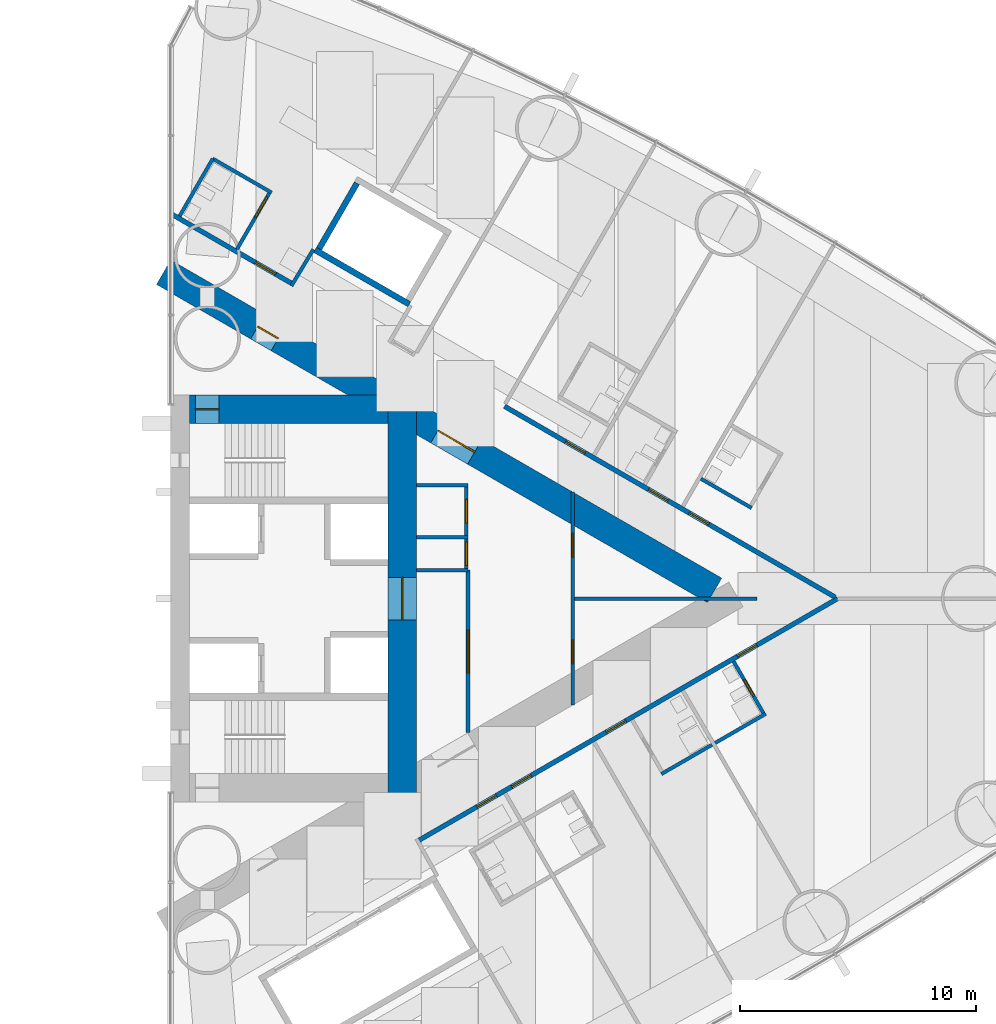
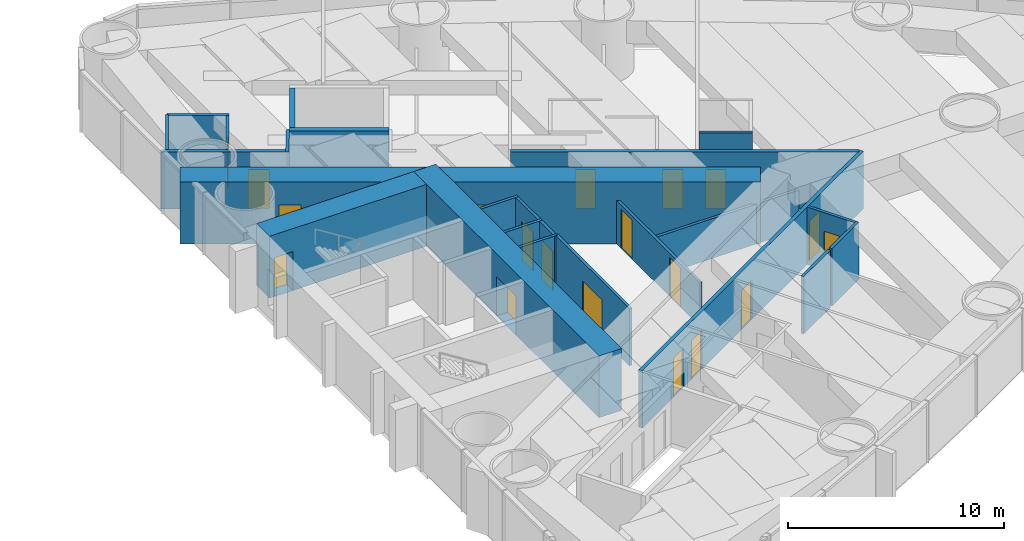
# One storey, part 15 of 19: 24 walls, 19 doors, 19 openings.
"""IFC4 building model written with IfcOpenShell, lengths in metres."""

from ifc_helpers import new_model, si_unit, direction, frame, frame_2d, origin, place, context, subcontext, project, spatial, rectangle, extrude, material, layer, layer_set, type_object, element, fill, save


model = new_model("IFC4")

# Units and contexts
model_context = context("Model", 3, precision=1e-05, world=origin(), true_north=direction((0.0, 1.0)))
body_context = subcontext(model_context, "Body", "Model", "MODEL_VIEW")
ifc_project = project(units=[si_unit("LENGTHUNIT", "METRE"), si_unit("AREAUNIT", "SQUARE_METRE"), si_unit("VOLUMEUNIT", "CUBIC_METRE"), si_unit("PLANEANGLEUNIT", "RADIAN"), si_unit("MASSUNIT", "GRAM", prefix="KILO")], contexts=[model_context])

# Site, building, storey
site_placement = place(None, origin())
site = spatial("IfcSite", under=ifc_project, at=site_placement, CompositionType="ELEMENT")
building_placement = place(site_placement, origin())
building = spatial("IfcBuilding", under=site, at=building_placement, Name="Lancet Gate Hotel", CompositionType="ELEMENT")
storey_placement = place(building_placement, frame((0.0, 0.0, 35.5)))
storey = spatial("IfcBuildingStorey", under=building, at=storey_placement, Name="L08", CompositionType="ELEMENT", Elevation=35.5)

# Walls
ifc_material_1 = material(Name="Moisture resistant board partition")
ifc_layer_1 = layer(ifc_material_1, 0.14990234375)
ifc_layer_set_1 = layer_set([ifc_layer_1], Name="Bathroom wall 150")
wall_type_1 = type_object("IfcWallType", Name="Bathroom wall 150", PredefinedType="PARTITIONING", material=ifc_layer_set_1)
wall_1_placement = place(storey_placement, frame((48.251220703125, -7.419677734375, 0.0), z_axis=(0.0, 0.0, 1.0), x_axis=(0.866006523861, 0.500032699561, 0.0)))
element("IfcWall", 1, at=wall_1_placement, inside=storey, type_object=wall_type_1, Name="T2 bathroom wall 150 L08", PredefinedType="PARTITIONING", context=body_context, shape_type="SweptSolid", body=[
    extrude(rectangle(XDim=2.474853515625, YDim=0.14990234375, at=frame_2d((1.2373046875, 0.0))), origin(), (0.0, 0.0, 1.0), 3.25),
])
wall_2_placement = place(storey_placement, frame((50.5244140625, -6.107177734375, 0.0), z_axis=(0.0, 0.0, 1.0), x_axis=(0.866031185235, 0.4999899861, 0.0)))
element("IfcWall", 2, at=wall_2_placement, inside=storey, type_object=wall_type_1, Name="T2 bathroom wall 150 L08", PredefinedType="PARTITIONING", context=body_context, shape_type="SweptSolid", body=[
    extrude(rectangle(XDim=2.47509765625, YDim=0.14990234375, at=frame_2d((1.237548828125, 0.0))), origin(), (0.0, 0.0, 1.0), 3.25),
])

# Wall, opening, door
wall_3_placement = place(storey_placement, frame((51.302978515625, -2.655517578125, 0.0), z_axis=(0.0, 0.0, 1.0), x_axis=(0.500047596559, -0.865997922154, 0.0)))
wall_3 = element("IfcWall", 3, at=wall_3_placement, inside=storey, type_object=wall_type_1, Name="T2 bathroom wall 150 L08", PredefinedType="PARTITIONING", context=body_context, shape_type="SweptSolid", body=[
    extrude(rectangle(XDim=2.599853515625, YDim=0.14990234375, at=frame_2d((1.2998046875, 0.0))), origin(), (0.0, 0.0, 1.0), 3.25),
])
opening_1_placement = place(wall_3_placement, frame((0.89990234375, 0.0, 0.0)))
opening_1 = element("IfcOpeningElement", 4, at=opening_1_placement, cuts=wall_3, Name="Opening 0856-B", PredefinedType="OPENING", context=body_context, shape_type="SweptSolid", body=[
    extrude(rectangle(XDim=0.800048828125, YDim=2.199951171875, at=frame_2d((0.39990234375, 1.10009765625))), frame((0.0, 0.0849609375, 0.0), z_axis=(0.0, -1.0, 0.0), x_axis=(1.0, 0.0, 0.0)), (0.0, 0.0, 1.0), 0.169921875),
])
ifc_material_2 = material(Name="Timber door set", Category="wood")
door_type_1 = type_object("IfcDoorType", Name="Bathroom door 800", OperationType="SINGLE_SWING_RIGHT", PredefinedType="DOOR", material=ifc_material_2)
door_1_placement = place(opening_1_placement, origin())
door_1 = element("IfcDoor", 5, at=door_1_placement, inside=storey, type_object=door_type_1, Name="0856-B", OperationType="SINGLE_SWING_RIGHT", OverallHeight=2.199951171875, OverallWidth=0.800048828125, PredefinedType="DOOR", context=body_context, shape_type="SweptSolid", body=[
    extrude(rectangle(XDim=0.800048828125, YDim=2.199951171875, at=frame_2d((0.39990234375, 1.10009765625))), frame((0.0, 0.02490234375, 0.0), z_axis=(0.0, -1.0, 0.0), x_axis=(1.0, 0.0, 0.0)), (0.0, 0.0, 1.0), 0.050048828125),
])
fill(opening_1, door_1)

# Walls
wall_4_placement = place(storey_placement, frame((49.924560546875, 5.06787109375, 0.0), z_axis=(0.0, 0.0, 1.0), x_axis=(0.866006523861, -0.500032699561, 0.0)))
element("IfcWall", 6, at=wall_4_placement, inside=storey, type_object=wall_type_1, Name="T2 bathroom wall 150 L08", PredefinedType="PARTITIONING", context=body_context, shape_type="SweptSolid", body=[
    extrude(rectangle(XDim=2.474853515625, YDim=0.14990234375, at=frame_2d((1.2373046875, 0.0))), origin(), (0.0, 0.0, 1.0), 3.25),
])
wall_5_placement = place(storey_placement, frame((29.281982421875, 18.6025390625, 0.0), z_axis=(0.0, 0.0, 1.0), x_axis=(0.866018712932, -0.500011588718, 0.0)))
element("IfcWall", 7, at=wall_5_placement, inside=storey, type_object=wall_type_1, Name="T2 bathroom wall 150 L08", PredefinedType="PARTITIONING", context=body_context, shape_type="SweptSolid", body=[
    extrude(rectangle(XDim=2.875, YDim=0.14990234375, at=frame_2d((1.4375, 0.0))), origin(), (0.0, 0.0, 1.0), 3.25),
])

# Wall, opening, door
wall_6_placement = place(storey_placement, frame((30.306640625, 14.777587890625, 0.0), z_axis=(0.0, 0.0, 1.0), x_axis=(0.500049511043, 0.865996816683, 0.0)))
wall_6 = element("IfcWall", 8, at=wall_6_placement, inside=storey, type_object=wall_type_1, Name="T2 bathroom wall 150 L08", PredefinedType="PARTITIONING", context=body_context, shape_type="SweptSolid", body=[
    extrude(rectangle(XDim=2.800048828125, YDim=0.14990234375, at=frame_2d((1.39990234375, 0.0))), origin(), (0.0, 0.0, 1.0), 3.25),
])
opening_2_placement = place(wall_6_placement, frame((1.550048828125, 0.0, 0.0)))
opening_2 = element("IfcOpeningElement", 9, at=opening_2_placement, cuts=wall_6, Name="Opening 0864-B", PredefinedType="OPENING", context=body_context, shape_type="SweptSolid", body=[
    extrude(rectangle(XDim=1.0, YDim=2.199951171875, at=frame_2d((0.5, 1.10009765625))), frame((0.0, 0.0849609375, 0.0), z_axis=(0.0, -1.0, 0.0), x_axis=(1.0, 0.0, 0.0)), (0.0, 0.0, 1.0), 0.169921875),
])
ifc_material_3 = material(Name="Timber door set", Category="wood")
door_type_2 = type_object("IfcDoorType", Name="Accessible en-suite door 1000", OperationType="SINGLE_SWING_RIGHT", PredefinedType="DOOR", material=ifc_material_3)
door_2_placement = place(opening_2_placement, origin())
door_2 = element("IfcDoor", 10, at=door_2_placement, inside=storey, type_object=door_type_2, Name="0864-B", OperationType="SINGLE_SWING_RIGHT", OverallHeight=2.199951171875, OverallWidth=1.0, PredefinedType="DOOR", context=body_context, shape_type="SweptSolid", body=[
    extrude(rectangle(XDim=1.0, YDim=2.199951171875, at=frame_2d((0.5, 1.10009765625))), frame((0.0, 0.02490234375, 0.0), z_axis=(0.0, -1.0, 0.0), x_axis=(1.0, 0.0, 0.0)), (0.0, 0.0, 1.0), 0.050048828125),
])
fill(opening_2, door_2)

# Wall
wall_7_placement = place(storey_placement, frame((27.8818359375, 16.177490234375, 0.0), z_axis=(0.0, 0.0, 1.0), x_axis=(0.500011755427, 0.866018616679, 0.0)))
element("IfcWall", 11, at=wall_7_placement, inside=storey, type_object=wall_type_1, Name="T2 bathroom wall 150 L08", PredefinedType="PARTITIONING", context=body_context, shape_type="SweptSolid", body=[
    extrude(rectangle(XDim=2.80029296875, YDim=0.14990234375, at=frame_2d((1.400146484375, 0.0))), origin(), (0.0, 0.0, 1.0), 3.25),
])

# Wall, openings, doors
ifc_material_4 = material(Name="Concrete C70/85", Category="concrete")
ifc_layer_2 = layer(ifc_material_4, 1.199951171875)
ifc_layer_set_2 = layer_set([ifc_layer_2], Name="Buttress wall 1200")
wall_type_2 = type_object("IfcWallType", Name="Buttress wall 1200", PredefinedType="SHEAR", material=ifc_layer_set_2)
wall_8_placement = place(storey_placement, frame((27.199951171875, 13.800048828125, 0.0), z_axis=(0.0, 0.0, 1.0), x_axis=(0.866024515034, -0.500001539357, 0.0)))
wall_8 = element("IfcWall", 12, at=wall_8_placement, inside=storey, type_object=wall_type_2, Name="T2 buttress wall N L08", PredefinedType="SHEAR", context=body_context, shape_type="SweptSolid", body=[
    extrude(rectangle(XDim=26.9072265625, YDim=1.199951171875, at=frame_2d((13.45361328125, 0.0))), origin(), (0.0, 0.0, 1.0), 3.5),
])
opening_3_placement = place(wall_8_placement, frame((4.60009765625, 0.0, 0.0)))
opening_3 = element("IfcOpeningElement", 13, at=opening_3_placement, cuts=wall_8, Name="Opening T2-L08-LN", PredefinedType="OPENING", context=body_context, shape_type="SweptSolid", body=[
    extrude(rectangle(XDim=1.0, YDim=2.199951171875, at=frame_2d((0.5, 1.10009765625))), frame((0.0, 0.60986328125, 0.0), z_axis=(0.0, -1.0, 0.0), x_axis=(1.0, 0.0, 0.0)), (0.0, 0.0, 1.0), 1.219970703125),
])
opening_4_placement = place(wall_8_placement, frame((13.39453125, 0.0, 0.0)))
opening_4 = element("IfcOpeningElement", 14, at=opening_4_placement, cuts=wall_8, Name="Opening T2-L08-LHN", PredefinedType="OPENING", context=body_context, shape_type="SweptSolid", body=[
    extrude(rectangle(XDim=1.800048828125, YDim=2.199951171875, at=frame_2d((0.89990234375, 1.10009765625))), frame((0.0, 0.60986328125, 0.0), z_axis=(0.0, -1.0, 0.0), x_axis=(1.0, 0.0, 0.0)), (0.0, 0.0, 1.0), 1.219970703125),
])
ifc_material_5 = material(Name="Timber door set", Category="wood")
door_type_3 = type_object("IfcDoorType", Name="Lobby double door 1800", OperationType="DOUBLE_DOOR_SINGLE_SWING", PredefinedType="DOOR", material=ifc_material_5)
door_3_placement = place(opening_4_placement, origin())
door_3 = element("IfcDoor", 15, at=door_3_placement, inside=storey, type_object=door_type_3, Name="T2-L08-LHN", OperationType="DOUBLE_DOOR_SINGLE_SWING", OverallHeight=2.199951171875, OverallWidth=1.800048828125, PredefinedType="DOOR", context=body_context, shape_type="SweptSolid", body=[
    extrude(rectangle(XDim=1.800048828125, YDim=2.199951171875, at=frame_2d((0.89990234375, 1.10009765625))), frame((0.0, 0.02490234375, 0.0), z_axis=(0.0, -1.0, 0.0), x_axis=(1.0, 0.0, 0.0)), (0.0, 0.0, 1.0), 0.050048828125),
])
fill(opening_4, door_3)
ifc_material_6 = material(Name="Timber door set", Category="wood")
door_type_4 = type_object("IfcDoorType", Name="Stair lobby door 1000", OperationType="SINGLE_SWING_LEFT", PredefinedType="DOOR", material=ifc_material_6)
door_4_placement = place(opening_3_placement, origin())
door_4 = element("IfcDoor", 16, at=door_4_placement, inside=storey, type_object=door_type_4, Name="T2-L08-LN", OperationType="SINGLE_SWING_LEFT", OverallHeight=2.199951171875, OverallWidth=1.0, PredefinedType="DOOR", context=body_context, shape_type="SweptSolid", body=[
    extrude(rectangle(XDim=1.0, YDim=2.199951171875, at=frame_2d((0.5, 1.10009765625))), frame((0.0, 0.02490234375, 0.0), z_axis=(0.0, -1.0, 0.0), x_axis=(1.0, 0.0, 0.0)), (0.0, 0.0, 1.0), 0.050048828125),
])
fill(opening_3, door_4)

# Wall, opening, door
ifc_material_7 = material(Name="Concrete C70/85", Category="concrete")
ifc_layer_3 = layer(ifc_material_7, 1.199951171875)
ifc_layer_set_3 = layer_set([ifc_layer_3], Name="Core wall 1200")
wall_type_3 = type_object("IfcWallType", Name="Core wall 1200", PredefinedType="SHEAR", material=ifc_layer_set_3)
wall_9_placement = place(storey_placement, frame((37.300048828125, -8.60009765625, 0.0), z_axis=(0.0, 0.0, 1.0), x_axis=(0.0, 1.0, 0.0)))
wall_9 = element("IfcWall", 17, at=wall_9_placement, inside=storey, type_object=wall_type_3, Name="T2 core wall back L08", PredefinedType="SHEAR", context=body_context, shape_type="SweptSolid", body=[
    extrude(rectangle(XDim=17.2001953125, YDim=1.199951171875, at=frame_2d((8.60009765625, 0.0))), origin(), (0.0, 0.0, 1.0), 3.5),
])
opening_5_placement = place(wall_9_placement, frame((7.699951171875, 0.0, 0.0)))
opening_5 = element("IfcOpeningElement", 18, at=opening_5_placement, cuts=wall_9, Name="Opening T2-L08-LL", PredefinedType="OPENING", context=body_context, shape_type="SweptSolid", body=[
    extrude(rectangle(XDim=1.800048828125, YDim=2.199951171875, at=frame_2d((0.89990234375, 1.10009765625))), frame((0.0, 0.60986328125, 0.0), z_axis=(0.0, -1.0, 0.0), x_axis=(1.0, 0.0, 0.0)), (0.0, 0.0, 1.0), 1.219970703125),
])
door_5_placement = place(opening_5_placement, origin())
door_5 = element("IfcDoor", 19, at=door_5_placement, inside=storey, type_object=door_type_3, Name="T2-L08-LL", OperationType="DOUBLE_DOOR_SINGLE_SWING", OverallHeight=2.199951171875, OverallWidth=1.800048828125, PredefinedType="DOOR", context=body_context, shape_type="SweptSolid", body=[
    extrude(rectangle(XDim=1.800048828125, YDim=2.199951171875, at=frame_2d((0.89990234375, 1.10009765625))), frame((0.0, 0.02490234375, 0.0), z_axis=(0.0, -1.0, 0.0), x_axis=(1.0, 0.0, 0.0)), (0.0, 0.0, 1.0), 0.050048828125),
])
fill(opening_5, door_5)

wall_10_placement = place(storey_placement, frame((28.300048828125, 8.0, 0.0), z_axis=(0.0, 0.0, 1.0), x_axis=(1.0, 0.0, 0.0)))
wall_10 = element("IfcWall", 20, at=wall_10_placement, inside=storey, type_object=wall_type_3, Name="T2 core wall side-N L08", PredefinedType="SHEAR", context=body_context, shape_type="SweptSolid", body=[
    extrude(rectangle(XDim=8.39990234375, YDim=1.199951171875, at=frame_2d((4.199951171875, 0.0))), origin(), (0.0, 0.0, 1.0), 3.5),
])
opening_6_placement = place(wall_10_placement, frame((0.25, 0.0, 0.0)))
opening_6 = element("IfcOpeningElement", 21, at=opening_6_placement, cuts=wall_10, Name="Opening T2-L08-ST2", PredefinedType="OPENING", context=body_context, shape_type="SweptSolid", body=[
    extrude(rectangle(XDim=1.0, YDim=2.199951171875, at=frame_2d((0.5, 1.10009765625))), frame((0.0, 0.60986328125, 0.0), z_axis=(0.0, -1.0, 0.0), x_axis=(1.0, 0.0, 0.0)), (0.0, 0.0, 1.0), 1.219970703125),
])
ifc_material_8 = material(Name="Timber door set", Category="wood")
door_type_5 = type_object("IfcDoorType", Name="Stair door 1000", OperationType="SINGLE_SWING_RIGHT", PredefinedType="DOOR", material=ifc_material_8)
door_6_placement = place(opening_6_placement, origin())
door_6 = element("IfcDoor", 22, at=door_6_placement, inside=storey, type_object=door_type_5, Name="T2-L08-ST2", OperationType="SINGLE_SWING_RIGHT", OverallHeight=2.199951171875, OverallWidth=1.0, PredefinedType="DOOR", context=body_context, shape_type="SweptSolid", body=[
    extrude(rectangle(XDim=1.0, YDim=2.199951171875, at=frame_2d((0.5, 1.10009765625))), frame((0.0, 0.02490234375, 0.0), z_axis=(0.0, -1.0, 0.0), x_axis=(1.0, 0.0, 0.0)), (0.0, 0.0, 1.0), 0.050048828125),
])
fill(opening_6, door_6)

# Wall, openings, doors
ifc_material_9 = material(Name="Gypsum board partition")
ifc_layer_4 = layer(ifc_material_9, 0.199951171875)
ifc_layer_set_4 = layer_set([ifc_layer_4], Name="Corridor wall 200")
wall_type_4 = type_object("IfcWallType", Name="Corridor wall 200", PredefinedType="PARTITIONING", material=ifc_layer_set_4)
wall_11_placement = place(storey_placement, frame((37.9599609375, -10.243408203125, 0.0), z_axis=(0.0, 0.0, 1.0), x_axis=(0.866026429433, 0.499998223521, 0.0)))
wall_11 = element("IfcWall", 23, at=wall_11_placement, inside=storey, type_object=wall_type_4, Name="T2 corridor wall 200 L08", PredefinedType="PARTITIONING", context=body_context, shape_type="SweptSolid", body=[
    extrude(rectangle(XDim=20.48681640625, YDim=0.199951171875, at=frame_2d((10.243408203125, 0.0))), origin(), (0.0, 0.0, 1.0), 3.25),
])
opening_7_placement = place(wall_11_placement, frame((4.574951171875, 0.0, 0.0)))
opening_7 = element("IfcOpeningElement", 24, at=opening_7_placement, cuts=wall_11, Name="Opening 0854-E", PredefinedType="OPENING", context=body_context, shape_type="SweptSolid", body=[
    extrude(rectangle(XDim=0.949951171875, YDim=2.199951171875, at=frame_2d((0.47509765625, 1.10009765625))), frame((0.0, 0.10986328125, 0.0), z_axis=(0.0, -1.0, 0.0), x_axis=(1.0, 0.0, 0.0)), (0.0, 0.0, 1.0), 0.219970703125),
])
opening_8_placement = place(wall_11_placement, frame((9.199462890625, 0.0, 0.0)))
opening_8 = element("IfcOpeningElement", 25, at=opening_8_placement, cuts=wall_11, Name="Opening 0855-E", PredefinedType="OPENING", context=body_context, shape_type="SweptSolid", body=[
    extrude(rectangle(XDim=0.949951171875, YDim=2.199951171875, at=frame_2d((0.47509765625, 1.10009765625))), frame((0.0, 0.10986328125, 0.0), z_axis=(0.0, -1.0, 0.0), x_axis=(1.0, 0.0, 0.0)), (0.0, 0.0, 1.0), 0.219970703125),
])
opening_9_placement = place(wall_11_placement, frame((15.599365234375, 0.0, 0.0)))
opening_9 = element("IfcOpeningElement", 26, at=opening_9_placement, cuts=wall_11, Name="Opening 0856-E", PredefinedType="OPENING", context=body_context, shape_type="SweptSolid", body=[
    extrude(rectangle(XDim=0.949951171875, YDim=2.199951171875, at=frame_2d((0.47509765625, 1.10009765625))), frame((0.0, 0.10986328125, 0.0), z_axis=(0.0, -1.0, 0.0), x_axis=(1.0, 0.0, 0.0)), (0.0, 0.0, 1.0), 0.219970703125),
])
opening_10_placement = place(wall_11_placement, frame((2.875, 0.0, 0.0)))
opening_10 = element("IfcOpeningElement", 27, at=opening_10_placement, cuts=wall_11, Name="Opening 0853-E", PredefinedType="OPENING", context=body_context, shape_type="SweptSolid", body=[
    extrude(rectangle(XDim=0.949951171875, YDim=2.199951171875, at=frame_2d((0.47509765625, 1.10009765625))), frame((0.0, 0.10986328125, 0.0), z_axis=(0.0, -1.0, 0.0), x_axis=(1.0, 0.0, 0.0)), (0.0, 0.0, 1.0), 0.219970703125),
])
ifc_material_10 = material(Name="Timber door set", Category="wood")
door_type_6 = type_object("IfcDoorType", Name="Guest room entry door 950", OperationType="SINGLE_SWING_LEFT", PredefinedType="DOOR", material=ifc_material_10)
door_7_placement = place(opening_7_placement, origin())
door_7 = element("IfcDoor", 28, at=door_7_placement, inside=storey, type_object=door_type_6, Name="0854-E", OperationType="SINGLE_SWING_LEFT", OverallHeight=2.199951171875, OverallWidth=0.949951171875, PredefinedType="DOOR", context=body_context, shape_type="SweptSolid", body=[
    extrude(rectangle(XDim=0.949951171875, YDim=2.199951171875, at=frame_2d((0.47509765625, 1.10009765625))), frame((0.0, 0.02490234375, 0.0), z_axis=(0.0, -1.0, 0.0), x_axis=(1.0, 0.0, 0.0)), (0.0, 0.0, 1.0), 0.050048828125),
])
fill(opening_7, door_7)
door_8_placement = place(opening_8_placement, origin())
door_8 = element("IfcDoor", 29, at=door_8_placement, inside=storey, type_object=door_type_6, Name="0855-E", OperationType="SINGLE_SWING_LEFT", OverallHeight=2.199951171875, OverallWidth=0.949951171875, PredefinedType="DOOR", context=body_context, shape_type="SweptSolid", body=[
    extrude(rectangle(XDim=0.949951171875, YDim=2.199951171875, at=frame_2d((0.47509765625, 1.10009765625))), frame((0.0, 0.02490234375, 0.0), z_axis=(0.0, -1.0, 0.0), x_axis=(1.0, 0.0, 0.0)), (0.0, 0.0, 1.0), 0.050048828125),
])
fill(opening_8, door_8)
door_9_placement = place(opening_9_placement, origin())
door_9 = element("IfcDoor", 30, at=door_9_placement, inside=storey, type_object=door_type_6, Name="0856-E", OperationType="SINGLE_SWING_LEFT", OverallHeight=2.199951171875, OverallWidth=0.949951171875, PredefinedType="DOOR", context=body_context, shape_type="SweptSolid", body=[
    extrude(rectangle(XDim=0.949951171875, YDim=2.199951171875, at=frame_2d((0.47509765625, 1.10009765625))), frame((0.0, 0.02490234375, 0.0), z_axis=(0.0, -1.0, 0.0), x_axis=(1.0, 0.0, 0.0)), (0.0, 0.0, 1.0), 0.050048828125),
])
fill(opening_9, door_9)
door_10_placement = place(opening_10_placement, origin())
door_10 = element("IfcDoor", 31, at=door_10_placement, inside=storey, type_object=door_type_6, Name="0853-E", OperationType="SINGLE_SWING_LEFT", OverallHeight=2.199951171875, OverallWidth=0.949951171875, PredefinedType="DOOR", context=body_context, shape_type="SweptSolid", body=[
    extrude(rectangle(XDim=0.949951171875, YDim=2.199951171875, at=frame_2d((0.47509765625, 1.10009765625))), frame((0.0, 0.02490234375, 0.0), z_axis=(0.0, -1.0, 0.0), x_axis=(1.0, 0.0, 0.0)), (0.0, 0.0, 1.0), 0.050048828125),
])
fill(opening_10, door_10)

# Wall, opening, door
wall_12_placement = place(storey_placement, frame((27.572021484375, 16.240966796875, 0.0), z_axis=(0.0, 0.0, 1.0), x_axis=(0.866032814021, -0.499987164874, 0.0)))
wall_12 = element("IfcWall", 32, at=wall_12_placement, inside=storey, type_object=wall_type_4, Name="T2 corridor wall 200 L08", PredefinedType="PARTITIONING", context=body_context, shape_type="SweptSolid", body=[
    extrude(rectangle(XDim=5.854736328125, YDim=0.199951171875, at=frame_2d((2.92724609375, 0.0))), origin(), (0.0, 0.0, 1.0), 3.25),
])
opening_11_placement = place(wall_12_placement, frame((4.050048828125, 0.0, 0.0)))
opening_11 = element("IfcOpeningElement", 33, at=opening_11_placement, cuts=wall_12, Name="Opening 0864-E", PredefinedType="OPENING", context=body_context, shape_type="SweptSolid", body=[
    extrude(rectangle(XDim=1.0, YDim=2.199951171875, at=frame_2d((0.5, 1.10009765625))), frame((0.0, 0.10986328125, 0.0), z_axis=(0.0, -1.0, 0.0), x_axis=(1.0, 0.0, 0.0)), (0.0, 0.0, 1.0), 0.219970703125),
])
ifc_material_11 = material(Name="Timber door set", Category="wood")
door_type_7 = type_object("IfcDoorType", Name="Accessible guest room door 1000", OperationType="SINGLE_SWING_LEFT", PredefinedType="DOOR", material=ifc_material_11)
door_11_placement = place(opening_11_placement, origin())
door_11 = element("IfcDoor", 34, at=door_11_placement, inside=storey, type_object=door_type_7, Name="0864-E", OperationType="SINGLE_SWING_LEFT", OverallHeight=2.199951171875, OverallWidth=1.0, PredefinedType="DOOR", context=body_context, shape_type="SweptSolid", body=[
    extrude(rectangle(XDim=1.0, YDim=2.199951171875, at=frame_2d((0.5, 1.10009765625))), frame((0.0, 0.02490234375, 0.0), z_axis=(0.0, -1.0, 0.0), x_axis=(1.0, 0.0, 0.0)), (0.0, 0.0, 1.0), 0.050048828125),
])
fill(opening_11, door_11)

# Wall, openings, doors
wall_13_placement = place(storey_placement, frame((41.618896484375, 8.130859375, 0.0), z_axis=(0.0, 0.0, 1.0), x_axis=(0.86603245327, -0.499987789734, 0.0)))
wall_13 = element("IfcWall", 35, at=wall_13_placement, inside=storey, type_object=wall_type_4, Name="T2 corridor wall 200 L08", PredefinedType="PARTITIONING", context=body_context, shape_type="SweptSolid", body=[
    extrude(rectangle(XDim=16.14208984375, YDim=0.199951171875, at=frame_2d((8.071044921875, 0.0))), origin(), (0.0, 0.0, 1.0), 3.25),
])
opening_12_placement = place(wall_13_placement, frame((9.0244140625, 0.0, 0.0)))
opening_12 = element("IfcOpeningElement", 36, at=opening_12_placement, cuts=wall_13, Name="Opening 0858-E", PredefinedType="OPENING", context=body_context, shape_type="SweptSolid", body=[
    extrude(rectangle(XDim=0.949951171875, YDim=2.199951171875, at=frame_2d((0.47509765625, 1.10009765625))), frame((0.0, 0.10986328125, 0.0), z_axis=(0.0, -1.0, 0.0), x_axis=(1.0, 0.0, 0.0)), (0.0, 0.0, 1.0), 0.219970703125),
])
opening_13_placement = place(wall_13_placement, frame((7.03662109375, 0.0, 0.0)))
opening_13 = element("IfcOpeningElement", 37, at=opening_13_placement, cuts=wall_13, Name="Opening 0860-E", PredefinedType="OPENING", context=body_context, shape_type="SweptSolid", body=[
    extrude(rectangle(XDim=0.949951171875, YDim=2.199951171875, at=frame_2d((0.47509765625, 1.10009765625))), frame((0.0, 0.10986328125, 0.0), z_axis=(0.0, -1.0, 0.0), x_axis=(1.0, 0.0, 0.0)), (0.0, 0.0, 1.0), 0.219970703125),
])
opening_14_placement = place(wall_13_placement, frame((2.986572265625, 0.0, 0.0)))
opening_14 = element("IfcOpeningElement", 38, at=opening_14_placement, cuts=wall_13, Name="Opening 0861-E", PredefinedType="OPENING", context=body_context, shape_type="SweptSolid", body=[
    extrude(rectangle(XDim=0.949951171875, YDim=2.199951171875, at=frame_2d((0.47509765625, 1.10009765625))), frame((0.0, 0.10986328125, 0.0), z_axis=(0.0, -1.0, 0.0), x_axis=(1.0, 0.0, 0.0)), (0.0, 0.0, 1.0), 0.219970703125),
])
door_12_placement = place(opening_12_placement, origin())
door_12 = element("IfcDoor", 39, at=door_12_placement, inside=storey, type_object=door_type_6, Name="0858-E", OperationType="SINGLE_SWING_LEFT", OverallHeight=2.199951171875, OverallWidth=0.949951171875, PredefinedType="DOOR", context=body_context, shape_type="SweptSolid", body=[
    extrude(rectangle(XDim=0.949951171875, YDim=2.199951171875, at=frame_2d((0.47509765625, 1.10009765625))), frame((0.0, 0.02490234375, 0.0), z_axis=(0.0, -1.0, 0.0), x_axis=(1.0, 0.0, 0.0)), (0.0, 0.0, 1.0), 0.050048828125),
])
fill(opening_12, door_12)
door_13_placement = place(opening_13_placement, origin())
door_13 = element("IfcDoor", 40, at=door_13_placement, inside=storey, type_object=door_type_6, Name="0860-E", OperationType="SINGLE_SWING_LEFT", OverallHeight=2.199951171875, OverallWidth=0.949951171875, PredefinedType="DOOR", context=body_context, shape_type="SweptSolid", body=[
    extrude(rectangle(XDim=0.949951171875, YDim=2.199951171875, at=frame_2d((0.47509765625, 1.10009765625))), frame((0.0, 0.02490234375, 0.0), z_axis=(0.0, -1.0, 0.0), x_axis=(1.0, 0.0, 0.0)), (0.0, 0.0, 1.0), 0.050048828125),
])
fill(opening_13, door_13)
door_14_placement = place(opening_14_placement, origin())
door_14 = element("IfcDoor", 41, at=door_14_placement, inside=storey, type_object=door_type_6, Name="0861-E", OperationType="SINGLE_SWING_LEFT", OverallHeight=2.199951171875, OverallWidth=0.949951171875, PredefinedType="DOOR", context=body_context, shape_type="SweptSolid", body=[
    extrude(rectangle(XDim=0.949951171875, YDim=2.199951171875, at=frame_2d((0.47509765625, 1.10009765625))), frame((0.0, 0.02490234375, 0.0), z_axis=(0.0, -1.0, 0.0), x_axis=(1.0, 0.0, 0.0)), (0.0, 0.0, 1.0), 0.050048828125),
])
fill(opening_14, door_14)

# Walls
ifc_material_12 = material(Name="Gypsum board partition")
ifc_layer_5 = layer(ifc_material_12, 0.25)
ifc_layer_set_5 = layer_set([ifc_layer_5], Name="Lift shaft partition 250")
wall_type_5 = type_object("IfcWallType", Name="Lift shaft partition 250", PredefinedType="PARTITIONING", material=ifc_layer_set_5)
wall_14_placement = place(storey_placement, frame((33.6083984375, 14.747314453125, 0.0), z_axis=(0.0, 0.0, 1.0), x_axis=(0.866043305498, -0.49996899204, 0.0)))
element("IfcWall", 42, at=wall_14_placement, inside=storey, type_object=wall_type_5, Name="T2 lift shaft wall EX L08", PredefinedType="PARTITIONING", context=body_context, shape_type="SweptSolid", body=[
    extrude(rectangle(XDim=4.600341796875, YDim=0.25, at=frame_2d((2.30029296875, 0.0))), origin(), (0.0, 0.0, 1.0), 3.25),
])
wall_15_placement = place(storey_placement, frame((33.779296875, 14.79296875, 0.0), z_axis=(0.0, 0.0, 1.0), x_axis=(0.499929347863, 0.866066190972, 0.0)))
element("IfcWall", 43, at=wall_15_placement, inside=storey, type_object=wall_type_5, Name="T2 lift shaft wall EX L08", PredefinedType="PARTITIONING", context=body_context, shape_type="SweptSolid", body=[
    extrude(rectangle(XDim=3.20068359375, YDim=0.25, at=frame_2d((1.600341796875, 0.0))), origin(), (0.0, 0.0, 1.0), 3.25),
])
ifc_material_13 = material(Name="Gypsum board partition")
ifc_layer_6 = layer(ifc_material_13, 0.14990234375)
ifc_layer_set_6 = layer_set([ifc_layer_6], Name="Service room wall 150")
wall_type_6 = type_object("IfcWallType", Name="Service room wall 150", PredefinedType="PARTITIONING", material=ifc_layer_set_6)
wall_16_placement = place(storey_placement, frame((33.533447265625, 14.767333984375, 0.0), z_axis=(0.0, 0.0, 1.0), x_axis=(-0.514296815006, -0.857612258585, 0.0)))
element("IfcWall", 44, at=wall_16_placement, inside=storey, type_object=wall_type_6, Name="T2 service room wall 150 L08", PredefinedType="PARTITIONING", context=body_context, shape_type="SweptSolid", body=[
    extrude(rectangle(XDim=1.804931640625, YDim=0.14990234375, at=frame_2d((0.90234375, 0.0))), origin(), (0.0, 0.0, 1.0), 3.25),
])
for number, where, z_axis, x_axis, name in (
    (45, (37.89990234375, 1.199951171875, 0.0), (0.0, 0.0, 1.0), (1.0, 0.0, 0.0), "T2 service room wall 150 L08"),
    (46, (37.89990234375, 2.60009765625, 0.0), (0.0, 0.0, 1.0), (1.0, 0.0, 0.0), "T2 service room wall 150 L08"),
    (47, (37.89990234375, 4.800048828125, 0.0), (0.0, 0.0, 1.0), (1.0, 0.0, 0.0), "T2 service room wall 150 L08"),
):
    element("IfcWall", number, at=place(storey_placement, frame(where, z_axis=z_axis, x_axis=x_axis)), inside=storey, type_object=wall_type_6, Name=name, PredefinedType="PARTITIONING", context=body_context, shape_type="SweptSolid", body=[
        extrude(rectangle(XDim=2.175048828125, YDim=0.14990234375, at=frame_2d((1.08740234375, 0.0))), origin(), (0.0, 0.0, 1.0), 3.25),
    ])

# Wall, opening, door
wall_17_placement = place(storey_placement, frame((40.0, 1.125, 0.0), z_axis=(0.0, 0.0, 1.0), x_axis=(0.0, 1.0, 0.0)))
wall_17 = element("IfcWall", 48, at=wall_17_placement, inside=storey, type_object=wall_type_6, Name="T2 service room wall 150 L08", PredefinedType="PARTITIONING", context=body_context, shape_type="SweptSolid", body=[
    extrude(rectangle(XDim=1.550048828125, YDim=0.14990234375, at=frame_2d((0.77490234375, 0.0))), origin(), (0.0, 0.0, 1.0), 3.25),
])
opening_15_placement = place(wall_17_placement, frame((0.27490234375, 0.0, 0.0)))
opening_15 = element("IfcOpeningElement", 49, at=opening_15_placement, cuts=wall_17, Name="Opening T2-L08-HRN0", PredefinedType="OPENING", context=body_context, shape_type="SweptSolid", body=[
    extrude(rectangle(XDim=1.0, YDim=2.199951171875, at=frame_2d((0.5, 1.10009765625))), frame((0.0, 0.0849609375, 0.0), z_axis=(0.0, -1.0, 0.0), x_axis=(1.0, 0.0, 0.0)), (0.0, 0.0, 1.0), 0.169921875),
])
ifc_material_14 = material(Name="Timber door set", Category="wood")
door_type_8 = type_object("IfcDoorType", Name="Service door 1000", OperationType="SINGLE_SWING_LEFT", PredefinedType="DOOR", material=ifc_material_14)
door_15_placement = place(opening_15_placement, origin())
door_15 = element("IfcDoor", 50, at=door_15_placement, inside=storey, type_object=door_type_8, Name="T2-L08-HRN0", OperationType="SINGLE_SWING_LEFT", OverallHeight=2.199951171875, OverallWidth=1.0, PredefinedType="DOOR", context=body_context, shape_type="SweptSolid", body=[
    extrude(rectangle(XDim=1.0, YDim=2.199951171875, at=frame_2d((0.5, 1.10009765625))), frame((0.0, 0.02490234375, 0.0), z_axis=(0.0, -1.0, 0.0), x_axis=(1.0, 0.0, 0.0)), (0.0, 0.0, 1.0), 0.050048828125),
])
fill(opening_15, door_15)

wall_18_placement = place(storey_placement, frame((40.0, 2.52490234375, 0.0), z_axis=(0.0, 0.0, 1.0), x_axis=(0.0, 1.0, 0.0)))
wall_18 = element("IfcWall", 51, at=wall_18_placement, inside=storey, type_object=wall_type_6, Name="T2 service room wall 150 L08", PredefinedType="PARTITIONING", context=body_context, shape_type="SweptSolid", body=[
    extrude(rectangle(XDim=2.35009765625, YDim=0.14990234375, at=frame_2d((1.175048828125, 0.0))), origin(), (0.0, 0.0, 1.0), 3.25),
])
opening_16_placement = place(wall_18_placement, frame((0.675048828125, 0.0, 0.0)))
opening_16 = element("IfcOpeningElement", 52, at=opening_16_placement, cuts=wall_18, Name="Opening T2-L08-HRN1", PredefinedType="OPENING", context=body_context, shape_type="SweptSolid", body=[
    extrude(rectangle(XDim=1.0, YDim=2.199951171875, at=frame_2d((0.5, 1.10009765625))), frame((0.0, 0.0849609375, 0.0), z_axis=(0.0, -1.0, 0.0), x_axis=(1.0, 0.0, 0.0)), (0.0, 0.0, 1.0), 0.169921875),
])
door_16_placement = place(opening_16_placement, origin())
door_16 = element("IfcDoor", 53, at=door_16_placement, inside=storey, type_object=door_type_8, Name="T2-L08-HRN1", OperationType="SINGLE_SWING_LEFT", OverallHeight=2.199951171875, OverallWidth=1.0, PredefinedType="DOOR", context=body_context, shape_type="SweptSolid", body=[
    extrude(rectangle(XDim=1.0, YDim=2.199951171875, at=frame_2d((0.5, 1.10009765625))), frame((0.0, 0.02490234375, 0.0), z_axis=(0.0, -1.0, 0.0), x_axis=(1.0, 0.0, 0.0)), (0.0, 0.0, 1.0), 0.050048828125),
])
fill(opening_16, door_16)

wall_19_placement = place(storey_placement, frame((40.074951171875, -5.673828125, 0.0), z_axis=(0.0, 0.0, 1.0), x_axis=(0.0, 1.0, 0.0)))
wall_19 = element("IfcWall", 54, at=wall_19_placement, inside=storey, type_object=wall_type_6, Name="T2 service room wall 150 L08", PredefinedType="PARTITIONING", context=body_context, shape_type="SweptSolid", body=[
    extrude(rectangle(XDim=6.873779296875, YDim=0.14990234375, at=frame_2d((3.43701171875, 0.0))), origin(), (0.0, 0.0, 1.0), 3.25),
])
opening_17_placement = place(wall_19_placement, frame((2.536865234375, 0.0, 0.0)))
opening_17 = element("IfcOpeningElement", 55, at=opening_17_placement, cuts=wall_19, Name="Opening T2-L08-LH", PredefinedType="OPENING", context=body_context, shape_type="SweptSolid", body=[
    extrude(rectangle(XDim=1.800048828125, YDim=2.199951171875, at=frame_2d((0.89990234375, 1.10009765625))), frame((0.0, 0.0849609375, 0.0), z_axis=(0.0, -1.0, 0.0), x_axis=(1.0, 0.0, 0.0)), (0.0, 0.0, 1.0), 0.169921875),
])
door_17_placement = place(opening_17_placement, origin())
door_17 = element("IfcDoor", 56, at=door_17_placement, inside=storey, type_object=door_type_3, Name="T2-L08-LH", OperationType="DOUBLE_DOOR_SINGLE_SWING", OverallHeight=2.199951171875, OverallWidth=1.800048828125, PredefinedType="DOOR", context=body_context, shape_type="SweptSolid", body=[
    extrude(rectangle(XDim=1.800048828125, YDim=2.199951171875, at=frame_2d((0.89990234375, 1.10009765625))), frame((0.0, 0.02490234375, 0.0), z_axis=(0.0, -1.0, 0.0), x_axis=(1.0, 0.0, 0.0)), (0.0, 0.0, 1.0), 0.050048828125),
])
fill(opening_17, door_17)

# Wall, openings, doors
wall_20_placement = place(storey_placement, frame((44.5, -4.504638671875, 0.0), z_axis=(0.0, 0.0, 1.0), x_axis=(0.0, 1.0, 0.0)))
wall_20 = element("IfcWall", 57, at=wall_20_placement, inside=storey, type_object=wall_type_6, Name="T2 service room wall 150 L08", PredefinedType="PARTITIONING", context=body_context, shape_type="SweptSolid", body=[
    extrude(rectangle(XDim=9.00927734375, YDim=0.14990234375, at=frame_2d((4.504638671875, 0.0))), origin(), (0.0, 0.0, 1.0), 2.449951171875),
])
opening_18_placement = place(wall_20_placement, frame((1.752197265625, 0.0, 0.0)))
opening_18 = element("IfcOpeningElement", 58, at=opening_18_placement, cuts=wall_20, Name="Opening T2-L08-SV", PredefinedType="OPENING", context=body_context, shape_type="SweptSolid", body=[
    extrude(rectangle(XDim=1.0, YDim=2.199951171875, at=frame_2d((0.5, 1.10009765625))), frame((0.0, 0.0849609375, 0.0), z_axis=(0.0, -1.0, 0.0), x_axis=(1.0, 0.0, 0.0)), (0.0, 0.0, 1.0), 0.169921875),
])
opening_19_placement = place(wall_20_placement, frame((6.2568359375, 0.0, 0.0)))
opening_19 = element("IfcOpeningElement", 59, at=opening_19_placement, cuts=wall_20, Name="Opening T2-L08-SV2", PredefinedType="OPENING", context=body_context, shape_type="SweptSolid", body=[
    extrude(rectangle(XDim=1.0, YDim=2.199951171875, at=frame_2d((0.5, 1.10009765625))), frame((0.0, 0.0849609375, 0.0), z_axis=(0.0, -1.0, 0.0), x_axis=(1.0, 0.0, 0.0)), (0.0, 0.0, 1.0), 0.169921875),
])
door_18_placement = place(opening_18_placement, origin())
door_18 = element("IfcDoor", 60, at=door_18_placement, inside=storey, type_object=door_type_8, Name="T2-L08-SV", OperationType="SINGLE_SWING_LEFT", OverallHeight=2.199951171875, OverallWidth=1.0, PredefinedType="DOOR", context=body_context, shape_type="SweptSolid", body=[
    extrude(rectangle(XDim=1.0, YDim=2.199951171875, at=frame_2d((0.5, 1.10009765625))), frame((0.0, 0.02490234375, 0.0), z_axis=(0.0, -1.0, 0.0), x_axis=(1.0, 0.0, 0.0)), (0.0, 0.0, 1.0), 0.050048828125),
])
fill(opening_18, door_18)
door_19_placement = place(opening_19_placement, origin())
door_19 = element("IfcDoor", 61, at=door_19_placement, inside=storey, type_object=door_type_8, Name="T2-L08-SV2", OperationType="SINGLE_SWING_LEFT", OverallHeight=2.199951171875, OverallWidth=1.0, PredefinedType="DOOR", context=body_context, shape_type="SweptSolid", body=[
    extrude(rectangle(XDim=1.0, YDim=2.199951171875, at=frame_2d((0.5, 1.10009765625))), frame((0.0, 0.02490234375, 0.0), z_axis=(0.0, -1.0, 0.0), x_axis=(1.0, 0.0, 0.0)), (0.0, 0.0, 1.0), 0.050048828125),
])
fill(opening_19, door_19)

# Wall
wall_21_placement = place(storey_placement, frame((44.574951171875, 0.0, 0.0), z_axis=(0.0, 0.0, 1.0), x_axis=(1.0, 0.0, 0.0)))
element("IfcWall", 62, at=wall_21_placement, inside=storey, type_object=wall_type_6, Name="T2 service room wall 150 L08", PredefinedType="PARTITIONING", context=body_context, shape_type="SweptSolid", body=[
    extrude(rectangle(XDim=7.727294921875, YDim=0.14990234375, at=frame_2d((3.86376953125, 0.0))), origin(), (0.0, 0.0, 1.0), 2.25),
])

save(model, "model.ifc")
